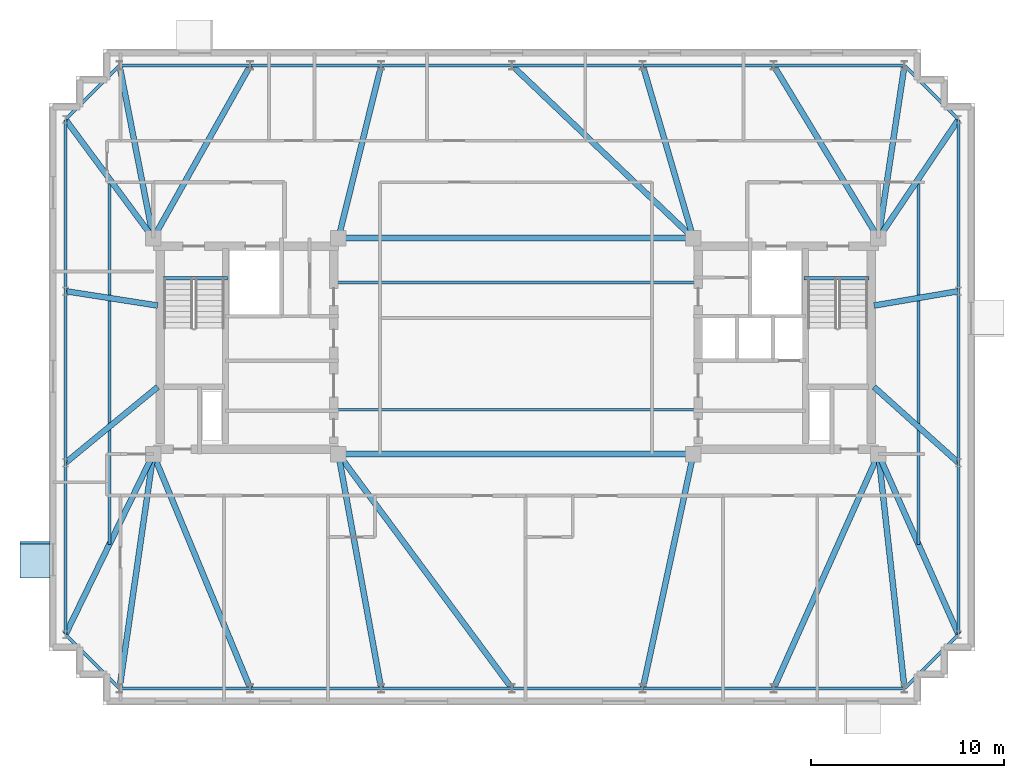
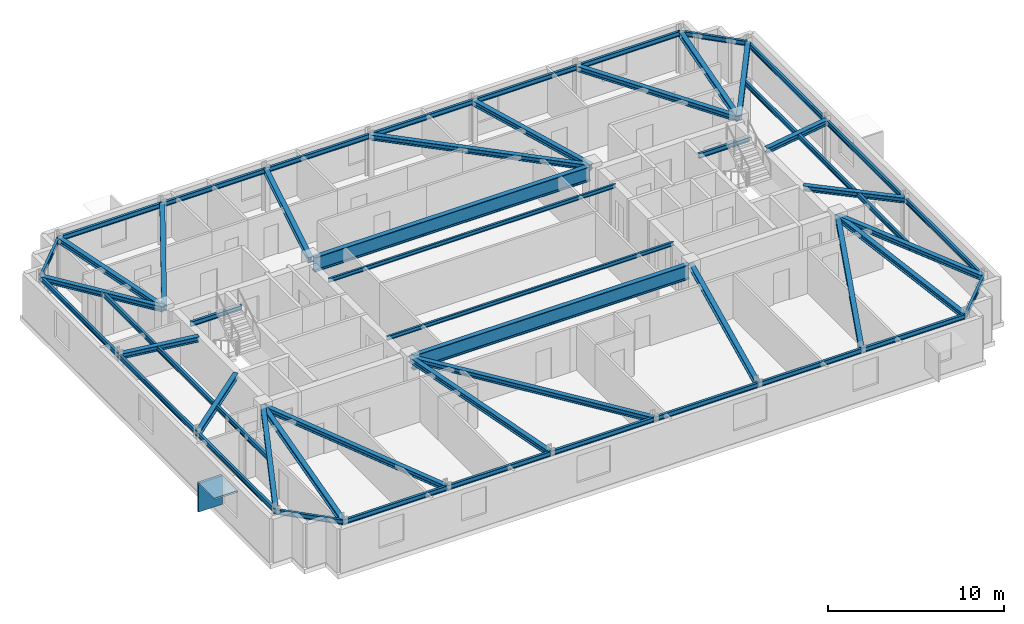
# One storey, part 4 of 11: 52 beams, 2 plates.
"""IFC4 building model written with IfcOpenShell, lengths in metres."""

from ifc_helpers import new_model, si_unit, direction, frame, origin, origin_2d, place, context, subcontext, project, spatial, rectangle, i_section, extrude, material, layer, layer_set, material_profile, profile_set, type_object, element, save


model = new_model("IFC4")

# Units and contexts
model_context = context("Model", 3, precision=1e-05, world=origin(), true_north=direction((0.0, 1.0)))
body_context = subcontext(model_context, "Body", "Model", "MODEL_VIEW")
ifc_project = project(units=[si_unit("LENGTHUNIT", "METRE"), si_unit("AREAUNIT", "SQUARE_METRE"), si_unit("VOLUMEUNIT", "CUBIC_METRE"), si_unit("PLANEANGLEUNIT", "RADIAN"), si_unit("MASSUNIT", "GRAM", prefix="KILO")], contexts=[model_context])

# Site, building, storey
site_placement = place(None, origin())
site = spatial("IfcSite", under=ifc_project, at=site_placement, CompositionType="ELEMENT")
building_placement = place(site_placement, origin())
building = spatial("IfcBuilding", under=site, at=building_placement, Name="Qobustan Lattice House", CompositionType="ELEMENT")
storey_placement = place(building_placement, frame((0.0, 0.0, 258.449951171875)))
storey = spatial("IfcBuildingStorey", under=building, at=storey_placement, Name="L73", CompositionType="ELEMENT", Elevation=258.449951171875)

# Beams
ifc_material_1 = material(Name="Steel S355", Category="steel")
ifc_material_profile_1 = material_profile(ifc_material_1, i_section(OverallWidth=0.300048828125, OverallDepth=0.360107421875, WebThickness=0.012451171875, FlangeThickness=0.0224609375, FilletRadius=0.027099609375, at=origin_2d()), Name="HEB360")
ifc_profile_set_1 = profile_set([ifc_material_profile_1], Name="Steel S355")
beam_type_1 = type_object("IfcBeamType", Name="BM-FLG-HEB360", PredefinedType="USERDEFINED", material=ifc_profile_set_1)
beam_1_placement = place(storey_placement, frame((-20.54638671875, -17.725341796875, 2.85009765625), z_axis=(0.142545171265, 0.989788297642, 0.0), x_axis=(-0.989788297642, 0.142545171265, 0.0)))
element("IfcBeam", 1, at=beam_1_placement, inside=storey, type_object=beam_type_1, Name="L73 primary floor girder RAD-S1W", ObjectType="GIRDER", PredefinedType="USERDEFINED", context=body_context, shape_type="SweptSolid", body=[
    extrude(i_section(OverallWidth=0.300048828125, OverallDepth=0.360107421875, WebThickness=0.012451171875, FlangeThickness=0.0224609375, FilletRadius=0.027099609375, at=origin_2d()), origin(), (0.0, 0.0, 1.0), 12.225341796875),
])
beam_2_placement = place(storey_placement, frame((-13.7763671875, -17.726806640625, 2.85009765625), z_axis=(-0.38270783551, 0.92386942402, 0.0), x_axis=(-0.92386942402, -0.38270783551, 0.0)))
element("IfcBeam", 2, at=beam_2_placement, inside=storey, type_object=beam_type_1, Name="L73 primary floor girder RAD-S2", ObjectType="GIRDER", PredefinedType="USERDEFINED", context=body_context, shape_type="SweptSolid", body=[
    extrude(i_section(OverallWidth=0.300048828125, OverallDepth=0.360107421875, WebThickness=0.012451171875, FlangeThickness=0.0224609375, FilletRadius=0.027099609375, at=origin_2d()), origin(), (0.0, 0.0, 1.0), 13.10107421875),
])
beam_3_placement = place(storey_placement, frame((-6.98779296875, -17.725341796875, 2.85009765625), z_axis=(-0.179484493831, 0.983760802469, 0.0), x_axis=(-0.983760802469, -0.179484493831, 0.0)))
element("IfcBeam", 3, at=beam_3_placement, inside=storey, type_object=beam_type_1, Name="L73 primary floor girder RAD-S3", ObjectType="GIRDER", PredefinedType="USERDEFINED", context=body_context, shape_type="SweptSolid", body=[
    extrude(i_section(OverallWidth=0.300048828125, OverallDepth=0.360107421875, WebThickness=0.012451171875, FlangeThickness=0.0224609375, FilletRadius=0.027099609375, at=origin_2d()), origin(), (0.0, 0.0, 1.0), 12.300537109375),
])
beam_4_placement = place(storey_placement, frame((-0.21484375, -17.72998046875, 2.85009765625), z_axis=(-0.595225226069, 0.803558915233, 0.0), x_axis=(-0.803558915233, -0.595225226069, 0.0)))
element("IfcBeam", 4, at=beam_4_placement, inside=storey, type_object=beam_type_1, Name="L73 primary floor girder RAD-S4", ObjectType="GIRDER", PredefinedType="USERDEFINED", context=body_context, shape_type="SweptSolid", body=[
    extrude(i_section(OverallWidth=0.300048828125, OverallDepth=0.360107421875, WebThickness=0.012451171875, FlangeThickness=0.0224609375, FilletRadius=0.027099609375, at=origin_2d()), origin(), (0.0, 0.0, 1.0), 15.0703125),
])
beam_5_placement = place(storey_placement, frame((6.588623046875, -17.7255859375, 2.85009765625), z_axis=(0.210523018319, 0.977588900693, 0.0), x_axis=(-0.977588900693, 0.210523018319, 0.0)))
element("IfcBeam", 5, at=beam_5_placement, inside=storey, type_object=beam_type_1, Name="L73 primary floor girder RAD-S5", ObjectType="GIRDER", PredefinedType="USERDEFINED", context=body_context, shape_type="SweptSolid", body=[
    extrude(i_section(OverallWidth=0.300048828125, OverallDepth=0.360107421875, WebThickness=0.012451171875, FlangeThickness=0.0224609375, FilletRadius=0.027099609375, at=origin_2d()), origin(), (0.0, 0.0, 1.0), 12.37841796875),
])
beam_6_placement = place(storey_placement, frame((13.376953125, -17.727294921875, 2.85009765625), z_axis=(0.408219903586, 0.912883623643, 0.0), x_axis=(-0.912883623643, 0.408219903586, 0.0)))
element("IfcBeam", 6, at=beam_6_placement, inside=storey, type_object=beam_type_1, Name="L73 primary floor girder RAD-S6", ObjectType="GIRDER", PredefinedType="USERDEFINED", context=body_context, shape_type="SweptSolid", body=[
    extrude(i_section(OverallWidth=0.300048828125, OverallDepth=0.360107421875, WebThickness=0.012451171875, FlangeThickness=0.0224609375, FilletRadius=0.027099609375, at=origin_2d()), origin(), (0.0, 0.0, 1.0), 13.259521484375),
])
beam_7_placement = place(storey_placement, frame((20.147216796875, -17.72509765625, 2.85009765625), z_axis=(-0.110431526075, 0.993883734674, 0.0), x_axis=(-0.993883734674, -0.110431526075, 0.0)))
element("IfcBeam", 7, at=beam_7_placement, inside=storey, type_object=beam_type_1, Name="L73 primary floor girder RAD-S7E", ObjectType="GIRDER", PredefinedType="USERDEFINED", context=body_context, shape_type="SweptSolid", body=[
    extrude(i_section(OverallWidth=0.300048828125, OverallDepth=0.360107421875, WebThickness=0.012451171875, FlangeThickness=0.0224609375, FilletRadius=0.027099609375, at=origin_2d()), origin(), (0.0, 0.0, 1.0), 12.1748046875),
])
beam_8_placement = place(storey_placement, frame((-20.545166015625, 14.525390625, 2.85009765625), z_axis=(0.191905644581, -0.981413380578, 0.0), x_axis=(0.981413380578, 0.191905644581, 0.0)))
element("IfcBeam", 8, at=beam_8_placement, inside=storey, type_object=beam_type_1, Name="L73 primary floor girder RAD-N7W", ObjectType="GIRDER", PredefinedType="USERDEFINED", context=body_context, shape_type="SweptSolid", body=[
    extrude(i_section(OverallWidth=0.300048828125, OverallDepth=0.360107421875, WebThickness=0.012451171875, FlangeThickness=0.0224609375, FilletRadius=0.027099609375, at=origin_2d()), origin(), (0.0, 0.0, 1.0), 9.0693359375),
])
beam_9_placement = place(storey_placement, frame((-13.779052734375, 14.5283203125, 2.85009765625), z_axis=(-0.490160276962, -0.871632320929, 0.0), x_axis=(0.871632320929, -0.490160276962, 0.0)))
element("IfcBeam", 9, at=beam_9_placement, inside=storey, type_object=beam_type_1, Name="L73 primary floor girder RAD-N6", ObjectType="GIRDER", PredefinedType="USERDEFINED", context=body_context, shape_type="SweptSolid", body=[
    extrude(i_section(OverallWidth=0.300048828125, OverallDepth=0.360107421875, WebThickness=0.012451171875, FlangeThickness=0.0224609375, FilletRadius=0.027099609375, at=origin_2d()), origin(), (0.0, 0.0, 1.0), 10.21826171875),
])
beam_10_placement = place(storey_placement, frame((-6.9892578125, 14.525634765625, 2.85009765625), z_axis=(-0.240430288899, -0.970666408289, 0.0), x_axis=(0.970666408289, -0.240430288899, 0.0)))
element("IfcBeam", 10, at=beam_10_placement, inside=storey, type_object=beam_type_1, Name="L73 primary floor girder RAD-N5", ObjectType="GIRDER", PredefinedType="USERDEFINED", context=body_context, shape_type="SweptSolid", body=[
    extrude(i_section(OverallWidth=0.300048828125, OverallDepth=0.360107421875, WebThickness=0.012451171875, FlangeThickness=0.0224609375, FilletRadius=0.027099609375, at=origin_2d()), origin(), (0.0, 0.0, 1.0), 9.17041015625),
])
beam_11_placement = place(storey_placement, frame((-0.181884765625, 14.53271484375, 2.85009765625), z_axis=(0.724228633775, -0.689559921995, 0.0), x_axis=(0.689559921995, 0.724228633775, 0.0)))
element("IfcBeam", 11, at=beam_11_placement, inside=storey, type_object=beam_type_1, Name="L73 primary floor girder RAD-N4", ObjectType="GIRDER", PredefinedType="USERDEFINED", context=body_context, shape_type="SweptSolid", body=[
    extrude(i_section(OverallWidth=0.300048828125, OverallDepth=0.360107421875, WebThickness=0.012451171875, FlangeThickness=0.0224609375, FilletRadius=0.027099609375, at=origin_2d()), origin(), (0.0, 0.0, 1.0), 12.92919921875),
])
beam_12_placement = place(storey_placement, frame((6.59033203125, 14.52587890625, 2.85009765625), z_axis=(0.28063676088, -0.959814048888, 0.0), x_axis=(0.959814048888, 0.28063676088, 0.0)))
element("IfcBeam", 12, at=beam_12_placement, inside=storey, type_object=beam_type_1, Name="L73 primary floor girder RAD-N3", ObjectType="GIRDER", PredefinedType="USERDEFINED", context=body_context, shape_type="SweptSolid", body=[
    extrude(i_section(OverallWidth=0.300048828125, OverallDepth=0.360107421875, WebThickness=0.012451171875, FlangeThickness=0.0224609375, FilletRadius=0.027099609375, at=origin_2d()), origin(), (0.0, 0.0, 1.0), 9.274658203125),
])
beam_13_placement = place(storey_placement, frame((13.379638671875, 14.528564453125, 2.85009765625), z_axis=(0.518943895492, -0.854808302096, 0.0), x_axis=(0.854808302096, 0.518943895492, 0.0)))
element("IfcBeam", 13, at=beam_13_placement, inside=storey, type_object=beam_type_1, Name="L73 primary floor girder RAD-N2", ObjectType="GIRDER", PredefinedType="USERDEFINED", context=body_context, shape_type="SweptSolid", body=[
    extrude(i_section(OverallWidth=0.300048828125, OverallDepth=0.360107421875, WebThickness=0.012451171875, FlangeThickness=0.0224609375, FilletRadius=0.027099609375, at=origin_2d()), origin(), (0.0, 0.0, 1.0), 10.420166015625),
])
beam_14_placement = place(storey_placement, frame((20.146240234375, 14.525390625, 2.85009765625), z_axis=(-0.149148118249, -0.988814865798, 0.0), x_axis=(0.988814865798, -0.149148118249, 0.0)))
element("IfcBeam", 14, at=beam_14_placement, inside=storey, type_object=beam_type_1, Name="L73 primary floor girder RAD-N1E", ObjectType="GIRDER", PredefinedType="USERDEFINED", context=body_context, shape_type="SweptSolid", body=[
    extrude(i_section(OverallWidth=0.300048828125, OverallDepth=0.360107421875, WebThickness=0.012451171875, FlangeThickness=0.0224609375, FilletRadius=0.027099609375, at=origin_2d()), origin(), (0.0, 0.0, 1.0), 9.001220703125),
])
beam_15_placement = place(storey_placement, frame((-23.335205078125, 11.72998046875, 2.85009765625), z_axis=(0.594754993974, -0.80390702021, 0.0), x_axis=(0.80390702021, 0.594754993974, 0.0)))
element("IfcBeam", 15, at=beam_15_placement, inside=storey, type_object=beam_type_1, Name="L73 primary floor girder RAD-W1", ObjectType="GIRDER", PredefinedType="USERDEFINED", context=body_context, shape_type="SweptSolid", body=[
    extrude(i_section(OverallWidth=0.300048828125, OverallDepth=0.360107421875, WebThickness=0.012451171875, FlangeThickness=0.0224609375, FilletRadius=0.027099609375, at=origin_2d()), origin(), (0.0, 0.0, 1.0), 7.60009765625),
])
beam_16_placement = place(storey_placement, frame((-23.3251953125, 2.84619140625, 2.85009765625), z_axis=(0.988014453876, -0.154361390677, 0.0), x_axis=(0.154361390677, 0.988014453876, 0.0)))
element("IfcBeam", 16, at=beam_16_placement, inside=storey, type_object=beam_type_1, Name="L73 primary floor girder RAD-W2", ObjectType="GIRDER", PredefinedType="USERDEFINED", context=body_context, shape_type="SweptSolid", body=[
    extrude(i_section(OverallWidth=0.300048828125, OverallDepth=0.360107421875, WebThickness=0.012451171875, FlangeThickness=0.0224609375, FilletRadius=0.027099609375, at=origin_2d()), origin(), (0.0, 0.0, 1.0), 4.80810546875),
])
beam_17_placement = place(storey_placement, frame((-23.330810546875, -6.0341796875, 2.85009765625), z_axis=(0.772169041192, 0.635417163621, 0.0), x_axis=(-0.635417163621, 0.772169041192, 0.0)))
element("IfcBeam", 17, at=beam_17_placement, inside=storey, type_object=beam_type_1, Name="L73 primary floor girder RAD-W3", ObjectType="GIRDER", PredefinedType="USERDEFINED", context=body_context, shape_type="SweptSolid", body=[
    extrude(i_section(OverallWidth=0.300048828125, OverallDepth=0.360107421875, WebThickness=0.012451171875, FlangeThickness=0.0224609375, FilletRadius=0.027099609375, at=origin_2d()), origin(), (0.0, 0.0, 1.0), 6.166259765625),
])
beam_18_placement = place(storey_placement, frame((-23.339111328125, -14.927490234375, 2.85009765625), z_axis=(0.437590490598, 0.899174378271, 0.0), x_axis=(-0.899174378271, 0.437590490598, 0.0)))
element("IfcBeam", 18, at=beam_18_placement, inside=storey, type_object=beam_type_1, Name="L73 primary floor girder RAD-W4", ObjectType="GIRDER", PredefinedType="USERDEFINED", context=body_context, shape_type="SweptSolid", body=[
    extrude(i_section(OverallWidth=0.300048828125, OverallDepth=0.360107421875, WebThickness=0.012451171875, FlangeThickness=0.0224609375, FilletRadius=0.027099609375, at=origin_2d()), origin(), (0.0, 0.0, 1.0), 10.348388671875),
])
beam_19_placement = place(storey_placement, frame((22.93603515625, 11.729248046875, 2.85009765625), z_axis=(-0.559355068937, -0.828928167488, 0.0), x_axis=(0.828928167488, -0.559355068937, 0.0)))
element("IfcBeam", 19, at=beam_19_placement, inside=storey, type_object=beam_type_1, Name="L73 primary floor girder RAD-E4", ObjectType="GIRDER", PredefinedType="USERDEFINED", context=body_context, shape_type="SweptSolid", body=[
    extrude(i_section(OverallWidth=0.300048828125, OverallDepth=0.360107421875, WebThickness=0.012451171875, FlangeThickness=0.0224609375, FilletRadius=0.027099609375, at=origin_2d()), origin(), (0.0, 0.0, 1.0), 7.369384765625),
])
beam_20_placement = place(storey_placement, frame((22.92529296875, 2.845703125, 2.85009765625), z_axis=(-0.985786297247, -0.168004095664, 0.0), x_axis=(0.168004095664, -0.985786297247, 0.0)))
element("IfcBeam", 20, at=beam_20_placement, inside=storey, type_object=beam_type_1, Name="L73 primary floor girder RAD-E3", ObjectType="GIRDER", PredefinedType="USERDEFINED", context=body_context, shape_type="SweptSolid", body=[
    extrude(i_section(OverallWidth=0.300048828125, OverallDepth=0.360107421875, WebThickness=0.012451171875, FlangeThickness=0.0224609375, FilletRadius=0.027099609375, at=origin_2d()), origin(), (0.0, 0.0, 1.0), 4.413330078125),
])
beam_21_placement = place(storey_placement, frame((22.931396484375, -6.033203125, 2.85009765625), z_axis=(-0.744142492307, 0.668020921186, 0.0), x_axis=(-0.668020921186, -0.744142492307, 0.0)))
element("IfcBeam", 21, at=beam_21_placement, inside=storey, type_object=beam_type_1, Name="L73 primary floor girder RAD-E2", ObjectType="GIRDER", PredefinedType="USERDEFINED", context=body_context, shape_type="SweptSolid", body=[
    extrude(i_section(OverallWidth=0.300048828125, OverallDepth=0.360107421875, WebThickness=0.012451171875, FlangeThickness=0.0224609375, FilletRadius=0.027099609375, at=origin_2d()), origin(), (0.0, 0.0, 1.0), 5.86279296875),
])
beam_22_placement = place(storey_placement, frame((22.93994140625, -14.927001953125, 2.85009765625), z_axis=(-0.405702269061, 0.914005289306, 0.0), x_axis=(-0.914005289306, -0.405702269061, 0.0)))
element("IfcBeam", 22, at=beam_22_placement, inside=storey, type_object=beam_type_1, Name="L73 primary floor girder RAD-E1", ObjectType="GIRDER", PredefinedType="USERDEFINED", context=body_context, shape_type="SweptSolid", body=[
    extrude(i_section(OverallWidth=0.300048828125, OverallDepth=0.360107421875, WebThickness=0.012451171875, FlangeThickness=0.0224609375, FilletRadius=0.027099609375, at=origin_2d()), origin(), (0.0, 0.0, 1.0), 10.1796875),
])
ifc_material_2 = material(Name="Steel S355", Category="steel")
ifc_material_profile_2 = material_profile(ifc_material_2, i_section(OverallWidth=0.135009765625, OverallDepth=0.27001953125, WebThickness=0.006591796875, FlangeThickness=0.01025390625, FilletRadius=0.014892578125, at=origin_2d()), Name="IPE270")
ifc_profile_set_2 = profile_set([ifc_material_profile_2], Name="Steel S355")
beam_type_2 = type_object("IfcBeamType", Name="BM-JST-IPE270", PredefinedType="JOIST", material=ifc_profile_set_2)
for number, where, z_axis, x_axis, name in (
    (23, (-9.39990234375, -3.300048828125, 2.89501953125), (1.0, 0.0, 0.0), (0.0, 1.0, 0.0), "L73 central span floor joist 1"),
    (24, (-9.39990234375, 3.300048828125, 2.89501953125), (1.0, 0.0, 0.0), (0.0, 1.0, 0.0), "L73 central span floor joist 2"),
):
    element("IfcBeam", number, at=place(storey_placement, frame(where, z_axis=z_axis, x_axis=x_axis)), inside=storey, type_object=beam_type_2, Name=name, PredefinedType="JOIST", context=body_context, shape_type="SweptSolid", body=[
        extrude(i_section(OverallWidth=0.135009765625, OverallDepth=0.27001953125, WebThickness=0.006591796875, FlangeThickness=0.01025390625, FilletRadius=0.014892578125, at=origin_2d()), origin(), (0.0, 0.0, 1.0), 18.7998046875),
    ])
ifc_material_3 = material(Name="Steel S355", Category="steel")
ifc_material_profile_3 = material_profile(ifc_material_3, i_section(OverallWidth=0.159912109375, OverallDepth=0.330078125, WebThickness=0.007568359375, FlangeThickness=0.011474609375, FilletRadius=0.01806640625, at=origin_2d()), Name="IPE330")
ifc_profile_set_3 = profile_set([ifc_material_profile_3], Name="Steel S355")
beam_type_3 = type_object("IfcBeamType", Name="BM-SEC-IPE330", PredefinedType="BEAM", material=ifc_profile_set_3)
for number, where, z_axis, x_axis, name in (
    (25, (-21.074951171875, 8.675048828125, 2.864990234375), (0.0, -1.0, 0.0), (1.0, 0.0, 0.0), "L73 west wing secondary beam"),
    (26, (20.875, 8.675048828125, 2.864990234375), (0.0, -1.0, 0.0), (1.0, 0.0, 0.0), "L73 east wing secondary beam"),
):
    element("IfcBeam", number, at=place(storey_placement, frame(where, z_axis=z_axis, x_axis=x_axis)), inside=storey, type_object=beam_type_3, Name=name, PredefinedType="BEAM", context=body_context, shape_type="SweptSolid", body=[
        extrude(i_section(OverallWidth=0.159912109375, OverallDepth=0.330078125, WebThickness=0.007568359375, FlangeThickness=0.011474609375, FilletRadius=0.01806640625, at=origin_2d()), origin(), (0.0, 0.0, 1.0), 18.949951171875),
    ])
ifc_material_4 = material(Name="Steel S355", Category="steel")
ifc_material_profile_4 = material_profile(ifc_material_4, i_section(OverallWidth=0.159912109375, OverallDepth=0.330078125, WebThickness=0.007568359375, FlangeThickness=0.011474609375, FilletRadius=0.01806640625, at=origin_2d()), Name="IPE330")
ifc_profile_set_4 = profile_set([ifc_material_profile_4], Name="Steel S355")
beam_type_4 = type_object("IfcBeamType", Name="BM-SPD-IPE330", PredefinedType="SPANDREL", material=ifc_profile_set_4)
for number, where, z_axis, x_axis, name in (
    (27, (-18.300048828125, 3.52001953125, 2.864990234375), (1.0, 0.0, 0.0), (0.0, 1.0, 0.0), "L73 west stair landing trimmer beam"),
    (28, (14.949951171875, 3.52001953125, 2.864990234375), (1.0, 0.0, 0.0), (0.0, 1.0, 0.0), "L73 east stair landing trimmer beam"),
):
    element("IfcBeam", number, at=place(storey_placement, frame(where, z_axis=z_axis, x_axis=x_axis)), inside=storey, type_object=beam_type_4, Name=name, PredefinedType="SPANDREL", context=body_context, shape_type="SweptSolid", body=[
        extrude(i_section(OverallWidth=0.159912109375, OverallDepth=0.330078125, WebThickness=0.007568359375, FlangeThickness=0.011474609375, FilletRadius=0.01806640625, at=origin_2d()), origin(), (0.0, 0.0, 1.0), 3.35009765625),
    ])
beam_23_placement = place(storey_placement, frame((-20.52490234375, -17.75, 2.864990234375), z_axis=(1.0, 0.0, 0.0), x_axis=(0.0, 1.0, 0.0)))
element("IfcBeam", 29, at=beam_23_placement, inside=storey, type_object=beam_type_4, Name="L73 perimeter spandrel S1-S2", PredefinedType="SPANDREL", context=body_context, shape_type="SweptSolid", body=[
    extrude(i_section(OverallWidth=0.159912109375, OverallDepth=0.330078125, WebThickness=0.007568359375, FlangeThickness=0.011474609375, FilletRadius=0.01806640625, at=origin_2d()), origin(), (0.0, 0.0, 1.0), 6.733154296875),
])
beam_24_placement = place(storey_placement, frame((-13.74169921875, -17.75, 2.864990234375), z_axis=(1.0, 0.0, 0.0), x_axis=(0.0, 1.0, 0.0)))
element("IfcBeam", 30, at=beam_24_placement, inside=storey, type_object=beam_type_4, Name="L73 perimeter spandrel S2-S3", PredefinedType="SPANDREL", context=body_context, shape_type="SweptSolid", body=[
    extrude(i_section(OverallWidth=0.159912109375, OverallDepth=0.330078125, WebThickness=0.007568359375, FlangeThickness=0.011474609375, FilletRadius=0.01806640625, at=origin_2d()), origin(), (0.0, 0.0, 1.0), 6.7333984375),
])
beam_25_placement = place(storey_placement, frame((-6.958251953125, -17.75, 2.864990234375), z_axis=(1.0, 0.0, 0.0), x_axis=(0.0, 1.0, 0.0)))
element("IfcBeam", 31, at=beam_25_placement, inside=storey, type_object=beam_type_4, Name="L73 perimeter spandrel S3-S4", PredefinedType="SPANDREL", context=body_context, shape_type="SweptSolid", body=[
    extrude(i_section(OverallWidth=0.159912109375, OverallDepth=0.330078125, WebThickness=0.007568359375, FlangeThickness=0.011474609375, FilletRadius=0.01806640625, at=origin_2d()), origin(), (0.0, 0.0, 1.0), 6.733154296875),
])
for number, where, z_axis, x_axis, name in (
    (32, (-0.175048828125, -17.75, 2.864990234375), (1.0, 0.0, 0.0), (0.0, 1.0, 0.0), "L73 perimeter spandrel S4-S5"),
    (33, (6.6083984375, -17.75, 2.864990234375), (1.0, 0.0, 0.0), (0.0, 1.0, 0.0), "L73 perimeter spandrel S5-S6"),
    (34, (13.3916015625, -17.75, 2.864990234375), (1.0, 0.0, 0.0), (0.0, 1.0, 0.0), "L73 perimeter spandrel S6-S7"),
):
    element("IfcBeam", number, at=place(storey_placement, frame(where, z_axis=z_axis, x_axis=x_axis)), inside=storey, type_object=beam_type_4, Name=name, PredefinedType="SPANDREL", context=body_context, shape_type="SweptSolid", body=[
        extrude(i_section(OverallWidth=0.159912109375, OverallDepth=0.330078125, WebThickness=0.007568359375, FlangeThickness=0.011474609375, FilletRadius=0.01806640625, at=origin_2d()), origin(), (0.0, 0.0, 1.0), 6.7333984375),
    ])
beam_26_placement = place(storey_placement, frame((20.167724609375, -17.732421875, 2.864990234375), z_axis=(0.707106781187, 0.707106781187, 0.0), x_axis=(-0.707106781187, 0.707106781187, 0.0)))
element("IfcBeam", 35, at=beam_26_placement, inside=storey, type_object=beam_type_4, Name="L73 perimeter spandrel S7-E1", PredefinedType="SPANDREL", context=body_context, shape_type="SweptSolid", body=[
    extrude(i_section(OverallWidth=0.159912109375, OverallDepth=0.330078125, WebThickness=0.007568359375, FlangeThickness=0.011474609375, FilletRadius=0.01806640625, at=origin_2d()), origin(), (0.0, 0.0, 1.0), 3.909912109375),
])
beam_27_placement = place(storey_placement, frame((22.949951171875, -14.925048828125, 2.864990234375), z_axis=(0.0, 1.0, 0.0), x_axis=(-1.0, 0.0, 0.0)))
element("IfcBeam", 36, at=beam_27_placement, inside=storey, type_object=beam_type_4, Name="L73 perimeter spandrel E1-E2", PredefinedType="SPANDREL", context=body_context, shape_type="SweptSolid", body=[
    extrude(i_section(OverallWidth=0.159912109375, OverallDepth=0.330078125, WebThickness=0.007568359375, FlangeThickness=0.011474609375, FilletRadius=0.01806640625, at=origin_2d()), origin(), (0.0, 0.0, 1.0), 8.85009765625),
])
beam_28_placement = place(storey_placement, frame((22.949951171875, -6.02490234375, 2.864990234375), z_axis=(0.0, 1.0, 0.0), x_axis=(-1.0, 0.0, 0.0)))
element("IfcBeam", 37, at=beam_28_placement, inside=storey, type_object=beam_type_4, Name="L73 perimeter spandrel E2-E3", PredefinedType="SPANDREL", context=body_context, shape_type="SweptSolid", body=[
    extrude(i_section(OverallWidth=0.159912109375, OverallDepth=0.330078125, WebThickness=0.007568359375, FlangeThickness=0.011474609375, FilletRadius=0.01806640625, at=origin_2d()), origin(), (0.0, 0.0, 1.0), 8.849853515625),
])
beam_29_placement = place(storey_placement, frame((22.949951171875, 2.875, 2.864990234375), z_axis=(0.0, 1.0, 0.0), x_axis=(-1.0, 0.0, 0.0)))
element("IfcBeam", 38, at=beam_29_placement, inside=storey, type_object=beam_type_4, Name="L73 perimeter spandrel E3-E4", PredefinedType="SPANDREL", context=body_context, shape_type="SweptSolid", body=[
    extrude(i_section(OverallWidth=0.159912109375, OverallDepth=0.330078125, WebThickness=0.007568359375, FlangeThickness=0.011474609375, FilletRadius=0.01806640625, at=origin_2d()), origin(), (0.0, 0.0, 1.0), 8.85009765625),
])
beam_30_placement = place(storey_placement, frame((22.932373046875, 11.767578125, 2.864990234375), z_axis=(-0.707106781187, 0.707106781187, 0.0), x_axis=(-0.707106781187, -0.707106781187, 0.0)))
element("IfcBeam", 39, at=beam_30_placement, inside=storey, type_object=beam_type_4, Name="L73 perimeter spandrel E4-N1", PredefinedType="SPANDREL", context=body_context, shape_type="SweptSolid", body=[
    extrude(i_section(OverallWidth=0.159912109375, OverallDepth=0.330078125, WebThickness=0.007568359375, FlangeThickness=0.011474609375, FilletRadius=0.01806640625, at=origin_2d()), origin(), (0.0, 0.0, 1.0), 3.909912109375),
])
for number, where, z_axis, x_axis, name in (
    (40, (20.125, 14.550048828125, 2.864990234375), (-1.0, 0.0, 0.0), (0.0, -1.0, 0.0), "L73 perimeter spandrel N1-N2"),
    (41, (13.341796875, 14.550048828125, 2.864990234375), (-1.0, 0.0, 0.0), (0.0, -1.0, 0.0), "L73 perimeter spandrel N2-N3"),
    (42, (6.558349609375, 14.550048828125, 2.864990234375), (-1.0, 0.0, 0.0), (0.0, -1.0, 0.0), "L73 perimeter spandrel N3-N4"),
):
    element("IfcBeam", number, at=place(storey_placement, frame(where, z_axis=z_axis, x_axis=x_axis)), inside=storey, type_object=beam_type_4, Name=name, PredefinedType="SPANDREL", context=body_context, shape_type="SweptSolid", body=[
        extrude(i_section(OverallWidth=0.159912109375, OverallDepth=0.330078125, WebThickness=0.007568359375, FlangeThickness=0.011474609375, FilletRadius=0.01806640625, at=origin_2d()), origin(), (0.0, 0.0, 1.0), 6.7333984375),
    ])
beam_31_placement = place(storey_placement, frame((-0.22509765625, 14.550048828125, 2.864990234375), z_axis=(-1.0, 0.0, 0.0), x_axis=(0.0, -1.0, 0.0)))
element("IfcBeam", 43, at=beam_31_placement, inside=storey, type_object=beam_type_4, Name="L73 perimeter spandrel N4-N5", PredefinedType="SPANDREL", context=body_context, shape_type="SweptSolid", body=[
    extrude(i_section(OverallWidth=0.159912109375, OverallDepth=0.330078125, WebThickness=0.007568359375, FlangeThickness=0.011474609375, FilletRadius=0.01806640625, at=origin_2d()), origin(), (0.0, 0.0, 1.0), 6.733154296875),
])
beam_32_placement = place(storey_placement, frame((-7.00830078125, 14.550048828125, 2.864990234375), z_axis=(-1.0, 0.0, 0.0), x_axis=(0.0, -1.0, 0.0)))
element("IfcBeam", 44, at=beam_32_placement, inside=storey, type_object=beam_type_4, Name="L73 perimeter spandrel N5-N6", PredefinedType="SPANDREL", context=body_context, shape_type="SweptSolid", body=[
    extrude(i_section(OverallWidth=0.159912109375, OverallDepth=0.330078125, WebThickness=0.007568359375, FlangeThickness=0.011474609375, FilletRadius=0.01806640625, at=origin_2d()), origin(), (0.0, 0.0, 1.0), 6.7333984375),
])
beam_33_placement = place(storey_placement, frame((-13.791748046875, 14.550048828125, 2.864990234375), z_axis=(-1.0, 0.0, 0.0), x_axis=(0.0, -1.0, 0.0)))
element("IfcBeam", 45, at=beam_33_placement, inside=storey, type_object=beam_type_4, Name="L73 perimeter spandrel N6-N7", PredefinedType="SPANDREL", context=body_context, shape_type="SweptSolid", body=[
    extrude(i_section(OverallWidth=0.159912109375, OverallDepth=0.330078125, WebThickness=0.007568359375, FlangeThickness=0.011474609375, FilletRadius=0.01806640625, at=origin_2d()), origin(), (0.0, 0.0, 1.0), 6.733154296875),
])
beam_34_placement = place(storey_placement, frame((-20.567626953125, 14.5322265625, 2.864990234375), z_axis=(-0.707106781187, -0.707106781187, 0.0), x_axis=(0.707106781187, -0.707106781187, 0.0)))
element("IfcBeam", 46, at=beam_34_placement, inside=storey, type_object=beam_type_4, Name="L73 perimeter spandrel N7-W1", PredefinedType="SPANDREL", context=body_context, shape_type="SweptSolid", body=[
    extrude(i_section(OverallWidth=0.159912109375, OverallDepth=0.330078125, WebThickness=0.007568359375, FlangeThickness=0.011474609375, FilletRadius=0.01806640625, at=origin_2d()), origin(), (0.0, 0.0, 1.0), 3.909912109375),
])
beam_35_placement = place(storey_placement, frame((-23.35009765625, 11.72509765625, 2.864990234375), z_axis=(0.0, -1.0, 0.0), x_axis=(1.0, 0.0, 0.0)))
element("IfcBeam", 47, at=beam_35_placement, inside=storey, type_object=beam_type_4, Name="L73 perimeter spandrel W1-W2", PredefinedType="SPANDREL", context=body_context, shape_type="SweptSolid", body=[
    extrude(i_section(OverallWidth=0.159912109375, OverallDepth=0.330078125, WebThickness=0.007568359375, FlangeThickness=0.011474609375, FilletRadius=0.01806640625, at=origin_2d()), origin(), (0.0, 0.0, 1.0), 8.85009765625),
])
beam_36_placement = place(storey_placement, frame((-23.35009765625, 2.824951171875, 2.864990234375), z_axis=(0.0, -1.0, 0.0), x_axis=(1.0, 0.0, 0.0)))
element("IfcBeam", 48, at=beam_36_placement, inside=storey, type_object=beam_type_4, Name="L73 perimeter spandrel W2-W3", PredefinedType="SPANDREL", context=body_context, shape_type="SweptSolid", body=[
    extrude(i_section(OverallWidth=0.159912109375, OverallDepth=0.330078125, WebThickness=0.007568359375, FlangeThickness=0.011474609375, FilletRadius=0.01806640625, at=origin_2d()), origin(), (0.0, 0.0, 1.0), 8.849853515625),
])
beam_37_placement = place(storey_placement, frame((-23.35009765625, -6.074951171875, 2.864990234375), z_axis=(0.0, -1.0, 0.0), x_axis=(1.0, 0.0, 0.0)))
element("IfcBeam", 49, at=beam_37_placement, inside=storey, type_object=beam_type_4, Name="L73 perimeter spandrel W3-W4", PredefinedType="SPANDREL", context=body_context, shape_type="SweptSolid", body=[
    extrude(i_section(OverallWidth=0.159912109375, OverallDepth=0.330078125, WebThickness=0.007568359375, FlangeThickness=0.011474609375, FilletRadius=0.01806640625, at=origin_2d()), origin(), (0.0, 0.0, 1.0), 8.85009765625),
])
beam_38_placement = place(storey_placement, frame((-23.332275390625, -14.9677734375, 2.864990234375), z_axis=(0.707106781187, -0.707106781187, 0.0), x_axis=(0.707106781187, 0.707106781187, 0.0)))
element("IfcBeam", 50, at=beam_38_placement, inside=storey, type_object=beam_type_4, Name="L73 perimeter spandrel W4-S1", PredefinedType="SPANDREL", context=body_context, shape_type="SweptSolid", body=[
    extrude(i_section(OverallWidth=0.159912109375, OverallDepth=0.330078125, WebThickness=0.007568359375, FlangeThickness=0.011474609375, FilletRadius=0.01806640625, at=origin_2d()), origin(), (0.0, 0.0, 1.0), 3.909912109375),
])
ifc_material_5 = material(Name="Steel S355", Category="steel")
ifc_material_profile_5 = material_profile(ifc_material_5, i_section(OverallWidth=0.302001953125, OverallDepth=1.008056640625, WebThickness=0.02099609375, FlangeThickness=0.0400390625, FilletRadius=0.030029296875, at=origin_2d()), Name="HEM1000")
ifc_profile_set_5 = profile_set([ifc_material_profile_5], Name="Steel S355")
beam_type_5 = type_object("IfcBeamType", Name="BM-TRG-HEM1000", PredefinedType="USERDEFINED", material=ifc_profile_set_5)
for number, where, z_axis, x_axis, name in (
    (51, (-9.050048828125, -5.60009765625, 2.526123046875), (1.0, 0.0, 0.0), (0.0, 1.0, 0.0), "L73 core spine girder CG-CS"),
    (52, (-9.050048828125, 5.60009765625, 2.526123046875), (1.0, 0.0, 0.0), (0.0, 1.0, 0.0), "L73 core spine girder CG-CN"),
):
    element("IfcBeam", number, at=place(storey_placement, frame(where, z_axis=z_axis, x_axis=x_axis)), inside=storey, type_object=beam_type_5, Name=name, ObjectType="GIRDER", PredefinedType="USERDEFINED", context=body_context, shape_type="SweptSolid", body=[
        extrude(i_section(OverallWidth=0.302001953125, OverallDepth=1.008056640625, WebThickness=0.02099609375, FlangeThickness=0.0400390625, FilletRadius=0.030029296875, at=origin_2d()), origin(), (0.0, 0.0, 1.0), 18.10009765625),
    ])

# Plates
ifc_material_6 = material(Name="Qobustan limestone GFRC", Category="masonry")
ifc_layer = layer(ifc_material_6, 0.1201171875)
ifc_layer_set = layer_set([ifc_layer], Name="Qobustan limestone GFRC")
plate_type = type_object("IfcPlateType", Name="SHD-HOOD-BROW", PredefinedType="USERDEFINED", material=ifc_layer_set)
plate_1_placement = place(storey_placement, frame((-24.929931640625, -11.080078125, 2.699951171875), z_axis=(0.0, 0.0, 1.0), x_axis=(0.0, 1.0, 0.0)))
element("IfcPlate", 53, at=plate_1_placement, inside=storey, type_object=plate_type, Name="L73 splayed Qobustan stone hood brow", ObjectType="SUNSHADE", PredefinedType="USERDEFINED", context=body_context, shape_type="SweptSolid", body=[
    extrude(rectangle(XDim=1.889892578125, YDim=1.56005859375, at=origin_2d()), origin(), (0.0, 0.0, 1.0), 0.1201171875),
])
plate_2_placement = place(storey_placement, frame((-24.929931640625, -10.195068359375, 0.7900390625), z_axis=(0.0, 0.0, 1.0), x_axis=(0.0, 1.0, 0.0)))
element("IfcPlate", 54, at=plate_2_placement, inside=storey, type_object=plate_type, Name="L73 splayed Qobustan stone hood cheek", ObjectType="SUNSHADE", PredefinedType="USERDEFINED", context=body_context, shape_type="SweptSolid", body=[
    extrude(rectangle(XDim=0.1201171875, YDim=1.56005859375, at=origin_2d()), origin(), (0.0, 0.0, 1.0), 1.969970703125),
])

save(model, "model.ifc")
